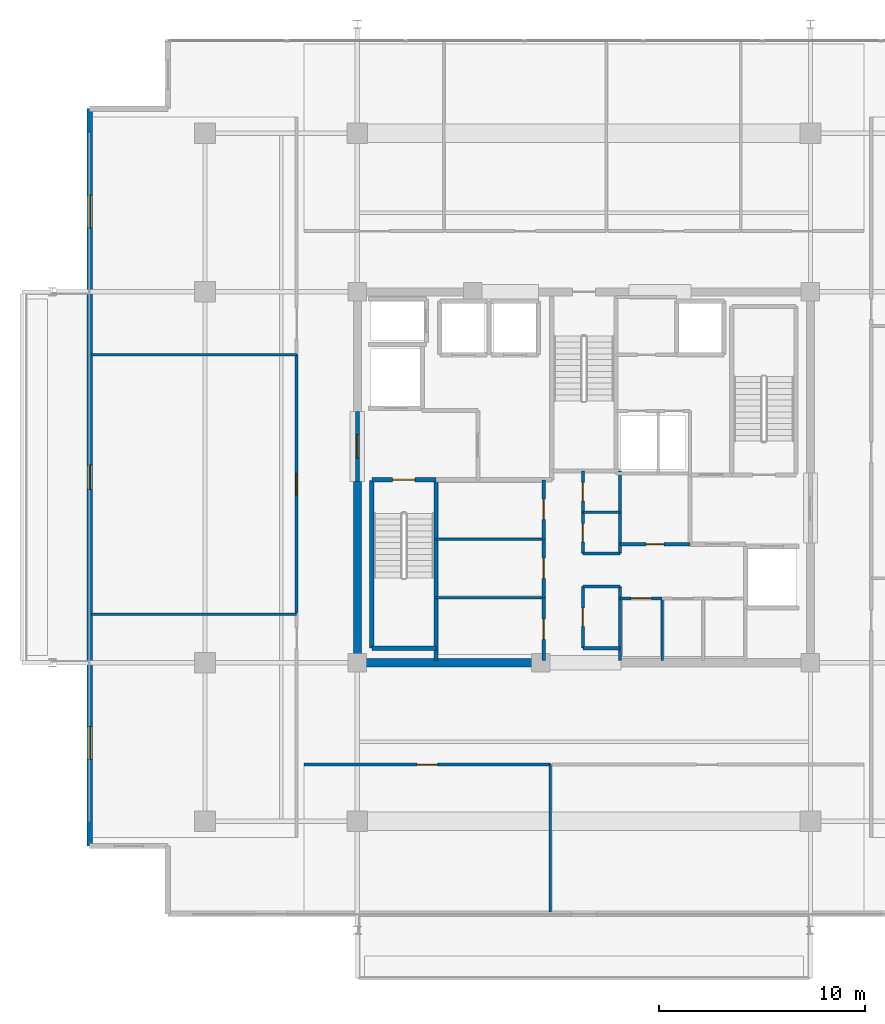
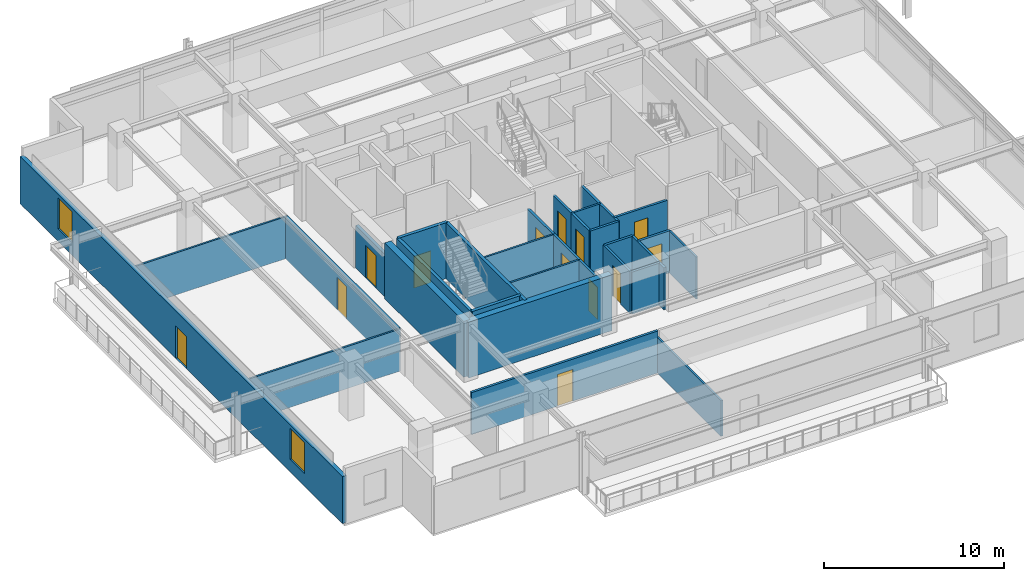
# One storey, part 13 of 20: 30 walls, 13 doors, 2 windows, 15 openings.
"""IFC4 building model written with IfcOpenShell, lengths in metres."""

from ifc_helpers import new_model, si_unit, direction, frame, frame_2d, origin, place, context, subcontext, project, spatial, rectangle, extrude, material, layer, layer_set, type_object, element, fill, save


model = new_model("IFC4")

# Units and contexts
model_context = context("Model", 3, precision=1e-05, world=origin(), true_north=direction((0.0, 1.0)))
body_context = subcontext(model_context, "Body", "Model", "MODEL_VIEW")
ifc_project = project(units=[si_unit("LENGTHUNIT", "METRE"), si_unit("AREAUNIT", "SQUARE_METRE"), si_unit("VOLUMEUNIT", "CUBIC_METRE"), si_unit("PLANEANGLEUNIT", "RADIAN"), si_unit("MASSUNIT", "GRAM", prefix="KILO")], contexts=[model_context])

# Site, building, storey
site_placement = place(None, origin())
site = spatial("IfcSite", under=ifc_project, at=site_placement, CompositionType="ELEMENT")
building_placement = place(site_placement, origin())
building = spatial("IfcBuilding", under=site, at=building_placement, Name="Kovane Verandah Tower", CompositionType="ELEMENT")
storey_placement = place(building_placement, frame((0.0, 0.0, 306.800048828125)))
storey = spatial("IfcBuildingStorey", under=building, at=storey_placement, Name="L71", CompositionType="ELEMENT", Elevation=306.800048828125)

# Walls
ifc_material_1 = material(Name="Fire-Rated Gypsum Stud Partition", Category="gypsum")
ifc_layer_1 = layer(ifc_material_1, 0.14990234375)
ifc_layer_set_1 = layer_set([ifc_layer_1], Name="Fire-Rated Gypsum Stud Partition")
wall_type_1 = type_object("IfcWallType", Name="WL-COR-150", PredefinedType="PARTITIONING", material=ifc_layer_set_1)
for number, where, z_axis, x_axis, name in (
    (1, (39.949951171875, 19.199951171875, 0.0), (0.0, 0.0, 1.0), (1.0, 0.0, 0.0), "L71 Central Core Strip South Wall"),
    (2, (39.949951171875, 22.199951171875, 0.0), (0.0, 0.0, 1.0), (1.0, 0.0, 0.0), "L71 Core Cross-Passage South Wall"),
    (3, (39.949951171875, 23.800048828125, 0.0), (0.0, 0.0, 1.0), (1.0, 0.0, 0.0), "L71 Core Cross-Passage North Wall"),
):
    element("IfcWall", number, at=place(storey_placement, frame(where, z_axis=z_axis, x_axis=x_axis)), inside=storey, type_object=wall_type_1, Name=name, PredefinedType="PARTITIONING", context=body_context, shape_type="SweptSolid", body=[
        extrude(rectangle(XDim=1.81005859375, YDim=0.14990234375, at=frame_2d((0.905029296875, 0.0))), origin(), (0.0, 0.0, 1.0), 2.849853515625),
    ])
wall_1_placement = place(storey_placement, frame((41.760009765625, 18.60009765625, 0.0), z_axis=(0.0, 0.0, 1.0), x_axis=(0.0, 1.0, 0.0)))
element("IfcWall", 4, at=wall_1_placement, inside=storey, type_object=wall_type_1, Name="L71 Central Core Strip Lower East Wall", PredefinedType="PARTITIONING", context=body_context, shape_type="SweptSolid", body=[
    extrude(rectangle(XDim=3.599853515625, YDim=0.14990234375, at=frame_2d((1.7998046875, 0.0))), origin(), (0.0, 0.0, 1.0), 2.849853515625),
])
wall_2_placement = place(storey_placement, frame((41.760009765625, 23.800048828125, 0.0), z_axis=(0.0, 0.0, 1.0), x_axis=(0.0, 1.0, 0.0)))
element("IfcWall", 5, at=wall_2_placement, inside=storey, type_object=wall_type_1, Name="L71 Central Core Strip Upper East Wall", PredefinedType="PARTITIONING", context=body_context, shape_type="SweptSolid", body=[
    extrude(rectangle(XDim=4.0, YDim=0.14990234375, at=frame_2d((2.0, 0.0))), origin(), (0.0, 0.0, 1.0), 2.849853515625),
])

# Wall, opening, door
wall_3_placement = place(storey_placement, frame((39.949951171875, 19.199951171875, 0.0), z_axis=(0.0, 0.0, 1.0), x_axis=(0.0, 1.0, 0.0)))
wall_3 = element("IfcWall", 6, at=wall_3_placement, inside=storey, type_object=wall_type_1, Name="L71 Male Toilet Partition", PredefinedType="PARTITIONING", context=body_context, shape_type="SweptSolid", body=[
    extrude(rectangle(XDim=3.0, YDim=0.14990234375, at=frame_2d((1.5, 0.0))), origin(), (0.0, 0.0, 1.0), 2.849853515625),
])
opening_1_placement = place(wall_3_placement, frame((1.050048828125, 0.0, 0.0)))
opening_1 = element("IfcOpeningElement", 7, at=opening_1_placement, cuts=wall_3, Name="Opening DR-L71-032", PredefinedType="OPENING", context=body_context, shape_type="SweptSolid", body=[
    extrude(rectangle(XDim=0.89990234375, YDim=2.10009765625, at=frame_2d((0.449951171875, 1.050048828125))), frame((0.0, 0.074951171875, 0.0), z_axis=(0.0, -1.0, 0.0), x_axis=(1.0, 0.0, 0.0)), (0.0, 0.0, 1.0), 0.14990234375),
])
ifc_material_2 = material(Name="Moisture-Resistant Laminate Washroom Door", Category="wood")
door_type_1 = type_object("IfcDoorType", Name="DR-WC-900", OperationType="SINGLE_SWING_LEFT", PredefinedType="DOOR", material=ifc_material_2)
door_1_placement = place(opening_1_placement, origin())
door_1 = element("IfcDoor", 8, at=door_1_placement, inside=storey, type_object=door_type_1, Name="L71 Male Toilet Door", OperationType="SINGLE_SWING_RIGHT", OverallHeight=2.10009765625, OverallWidth=0.89990234375, PredefinedType="DOOR", context=body_context, shape_type="SweptSolid", body=[
    extrude(rectangle(XDim=0.89990234375, YDim=2.10009765625, at=frame_2d((0.449951171875, 1.050048828125))), frame((0.0, 0.02490234375, 0.0), z_axis=(0.0, -1.0, 0.0), x_axis=(1.0, 0.0, 0.0)), (0.0, 0.0, 1.0), 0.050048828125),
])
fill(opening_1, door_1)

wall_4_placement = place(storey_placement, frame((39.949951171875, 23.800048828125, 0.0), z_axis=(0.0, 0.0, 1.0), x_axis=(0.0, 1.0, 0.0)))
wall_4 = element("IfcWall", 9, at=wall_4_placement, inside=storey, type_object=wall_type_1, Name="L71 Female Toilet Partition", PredefinedType="PARTITIONING", context=body_context, shape_type="SweptSolid", body=[
    extrude(rectangle(XDim=2.0, YDim=0.14990234375, at=frame_2d((1.0, 0.0))), origin(), (0.0, 0.0, 1.0), 2.849853515625),
])
opening_2_placement = place(wall_4_placement, frame((0.550048828125, 0.0, 0.0)))
opening_2 = element("IfcOpeningElement", 10, at=opening_2_placement, cuts=wall_4, Name="Opening DR-L71-031", PredefinedType="OPENING", context=body_context, shape_type="SweptSolid", body=[
    extrude(rectangle(XDim=0.89990234375, YDim=2.10009765625, at=frame_2d((0.449951171875, 1.050048828125))), frame((0.0, 0.074951171875, 0.0), z_axis=(0.0, -1.0, 0.0), x_axis=(1.0, 0.0, 0.0)), (0.0, 0.0, 1.0), 0.14990234375),
])
door_2_placement = place(opening_2_placement, origin())
door_2 = element("IfcDoor", 11, at=door_2_placement, inside=storey, type_object=door_type_1, Name="L71 Female Toilet Door", OperationType="SINGLE_SWING_LEFT", OverallHeight=2.10009765625, OverallWidth=0.89990234375, PredefinedType="DOOR", context=body_context, shape_type="SweptSolid", body=[
    extrude(rectangle(XDim=0.89990234375, YDim=2.10009765625, at=frame_2d((0.449951171875, 1.050048828125))), frame((0.0, 0.02490234375, 0.0), z_axis=(0.0, -1.0, 0.0), x_axis=(1.0, 0.0, 0.0)), (0.0, 0.0, 1.0), 0.050048828125),
])
fill(opening_2, door_2)

wall_5_placement = place(storey_placement, frame((39.949951171875, 25.800048828125, 0.0), z_axis=(0.0, 0.0, 1.0), x_axis=(0.0, 1.0, 0.0)))
wall_5 = element("IfcWall", 12, at=wall_5_placement, inside=storey, type_object=wall_type_1, Name="L71 Accessible Unisex Toilet Partition", PredefinedType="PARTITIONING", context=body_context, shape_type="SweptSolid", body=[
    extrude(rectangle(XDim=2.0, YDim=0.14990234375, at=frame_2d((1.0, 0.0))), origin(), (0.0, 0.0, 1.0), 2.849853515625),
])
opening_3_placement = place(wall_5_placement, frame((0.550048828125, 0.0, 0.0)))
opening_3 = element("IfcOpeningElement", 13, at=opening_3_placement, cuts=wall_5, Name="Opening DR-L71-030", PredefinedType="OPENING", context=body_context, shape_type="SweptSolid", body=[
    extrude(rectangle(XDim=0.89990234375, YDim=2.10009765625, at=frame_2d((0.449951171875, 1.050048828125))), frame((0.0, 0.074951171875, 0.0), z_axis=(0.0, -1.0, 0.0), x_axis=(1.0, 0.0, 0.0)), (0.0, 0.0, 1.0), 0.14990234375),
])
door_3_placement = place(opening_3_placement, origin())
door_3 = element("IfcDoor", 14, at=door_3_placement, inside=storey, type_object=door_type_1, Name="L71 Accessible Unisex Toilet Door", OperationType="SINGLE_SWING_RIGHT", OverallHeight=2.10009765625, OverallWidth=0.89990234375, PredefinedType="DOOR", context=body_context, shape_type="SweptSolid", body=[
    extrude(rectangle(XDim=0.89990234375, YDim=2.10009765625, at=frame_2d((0.449951171875, 1.050048828125))), frame((0.0, 0.02490234375, 0.0), z_axis=(0.0, -1.0, 0.0), x_axis=(1.0, 0.0, 0.0)), (0.0, 0.0, 1.0), 0.050048828125),
])
fill(opening_3, door_3)

wall_6_placement = place(storey_placement, frame((38.050048828125, 18.60009765625, 0.0), z_axis=(0.0, 0.0, 1.0), x_axis=(0.0, 1.0, 0.0)))
wall_6 = element("IfcWall", 15, at=wall_6_placement, inside=storey, type_object=wall_type_1, Name="L71 Project Archive Room Partition", PredefinedType="PARTITIONING", context=body_context, shape_type="SweptSolid", body=[
    extrude(rectangle(XDim=3.059814453125, YDim=0.14990234375, at=frame_2d((1.52978515625, 0.0))), origin(), (0.0, 0.0, 1.0), 2.849853515625),
])
opening_4_placement = place(wall_6_placement, frame((1.030029296875, 0.0, 0.0)))
opening_4 = element("IfcOpeningElement", 16, at=opening_4_placement, cuts=wall_6, Name="Opening DR-L71-014", PredefinedType="OPENING", context=body_context, shape_type="SweptSolid", body=[
    extrude(rectangle(XDim=1.0, YDim=2.14990234375, at=frame_2d((0.5, 1.074951171875))), frame((0.0, 0.074951171875, 0.0), z_axis=(0.0, -1.0, 0.0), x_axis=(1.0, 0.0, 0.0)), (0.0, 0.0, 1.0), 0.14990234375),
])
ifc_material_3 = material(Name="FSC Spotted-Gum Timber Fire-Rated Office Door", Category="wood")
door_type_2 = type_object("IfcDoorType", Name="DR-OFF-1000", OperationType="SINGLE_SWING_LEFT", PredefinedType="DOOR", material=ifc_material_3)
door_4_placement = place(opening_4_placement, origin())
door_4 = element("IfcDoor", 17, at=door_4_placement, inside=storey, type_object=door_type_2, Name="L71 Project Archive Room Door", OperationType="SINGLE_SWING_LEFT", OverallHeight=2.14990234375, OverallWidth=1.0, PredefinedType="DOOR", context=body_context, shape_type="SweptSolid", body=[
    extrude(rectangle(XDim=1.0, YDim=2.14990234375, at=frame_2d((0.5, 1.074951171875))), frame((0.0, 0.02490234375, 0.0), z_axis=(0.0, -1.0, 0.0), x_axis=(1.0, 0.0, 0.0)), (0.0, 0.0, 1.0), 0.050048828125),
])
fill(opening_4, door_4)

wall_7_placement = place(storey_placement, frame((38.050048828125, 21.659912109375, 0.0), z_axis=(0.0, 0.0, 1.0), x_axis=(0.0, 1.0, 0.0)))
wall_7 = element("IfcWall", 18, at=wall_7_placement, inside=storey, type_object=wall_type_1, Name="L71 First Aid and Wellness Room Partition", PredefinedType="PARTITIONING", context=body_context, shape_type="SweptSolid", body=[
    extrude(rectangle(XDim=2.840087890625, YDim=0.14990234375, at=frame_2d((1.419921875, 0.0))), origin(), (0.0, 0.0, 1.0), 2.849853515625),
])
opening_5_placement = place(wall_7_placement, frame((0.919921875, 0.0, 0.0)))
opening_5 = element("IfcOpeningElement", 19, at=opening_5_placement, cuts=wall_7, Name="Opening DR-L71-015", PredefinedType="OPENING", context=body_context, shape_type="SweptSolid", body=[
    extrude(rectangle(XDim=1.0, YDim=2.14990234375, at=frame_2d((0.5, 1.074951171875))), frame((0.0, 0.074951171875, 0.0), z_axis=(0.0, -1.0, 0.0), x_axis=(1.0, 0.0, 0.0)), (0.0, 0.0, 1.0), 0.14990234375),
])
door_5_placement = place(opening_5_placement, origin())
door_5 = element("IfcDoor", 20, at=door_5_placement, inside=storey, type_object=door_type_2, Name="L71 First Aid and Wellness Room Door", OperationType="SINGLE_SWING_RIGHT", OverallHeight=2.14990234375, OverallWidth=1.0, PredefinedType="DOOR", context=body_context, shape_type="SweptSolid", body=[
    extrude(rectangle(XDim=1.0, YDim=2.14990234375, at=frame_2d((0.5, 1.074951171875))), frame((0.0, 0.02490234375, 0.0), z_axis=(0.0, -1.0, 0.0), x_axis=(1.0, 0.0, 0.0)), (0.0, 0.0, 1.0), 0.050048828125),
])
fill(opening_5, door_5)

wall_8_placement = place(storey_placement, frame((38.050048828125, 24.5, 0.0), z_axis=(0.0, 0.0, 1.0), x_axis=(0.0, 1.0, 0.0)))
wall_8 = element("IfcWall", 21, at=wall_8_placement, inside=storey, type_object=wall_type_1, Name="L71 Tea and Copy Hub Partition", PredefinedType="PARTITIONING", context=body_context, shape_type="SweptSolid", body=[
    extrude(rectangle(XDim=2.8798828125, YDim=0.14990234375, at=frame_2d((1.43994140625, 0.0))), origin(), (0.0, 0.0, 1.0), 2.849853515625),
])
opening_6_placement = place(wall_8_placement, frame((0.93994140625, 0.0, 0.0)))
opening_6 = element("IfcOpeningElement", 22, at=opening_6_placement, cuts=wall_8, Name="Opening DR-L71-016", PredefinedType="OPENING", context=body_context, shape_type="SweptSolid", body=[
    extrude(rectangle(XDim=1.0, YDim=2.14990234375, at=frame_2d((0.5, 1.074951171875))), frame((0.0, 0.074951171875, 0.0), z_axis=(0.0, -1.0, 0.0), x_axis=(1.0, 0.0, 0.0)), (0.0, 0.0, 1.0), 0.14990234375),
])
door_6_placement = place(opening_6_placement, origin())
door_6 = element("IfcDoor", 23, at=door_6_placement, inside=storey, type_object=door_type_2, Name="L71 Tea and Copy Hub Door", OperationType="SINGLE_SWING_LEFT", OverallHeight=2.14990234375, OverallWidth=1.0, PredefinedType="DOOR", context=body_context, shape_type="SweptSolid", body=[
    extrude(rectangle(XDim=1.0, YDim=2.14990234375, at=frame_2d((0.5, 1.074951171875))), frame((0.0, 0.02490234375, 0.0), z_axis=(0.0, -1.0, 0.0), x_axis=(1.0, 0.0, 0.0)), (0.0, 0.0, 1.0), 0.050048828125),
])
fill(opening_6, door_6)

wall_9_placement = place(storey_placement, frame((41.760009765625, 21.6201171875, 0.0), z_axis=(0.0, 0.0, 1.0), x_axis=(1.0, 0.0, 0.0)))
wall_9 = element("IfcWall", 24, at=wall_9_placement, inside=storey, type_object=wall_type_1, Name="L71 Mail and Copy Room Partition", PredefinedType="PARTITIONING", context=body_context, shape_type="SweptSolid", body=[
    extrude(rectangle(XDim=2.0400390625, YDim=0.14990234375, at=frame_2d((1.02001953125, 0.0))), origin(), (0.0, 0.0, 1.0), 2.849853515625),
])
opening_7_placement = place(wall_9_placement, frame((0.52001953125, 0.0, 0.0)))
opening_7 = element("IfcOpeningElement", 25, at=opening_7_placement, cuts=wall_9, Name="Opening DR-L71-017", PredefinedType="OPENING", context=body_context, shape_type="SweptSolid", body=[
    extrude(rectangle(XDim=1.0, YDim=2.14990234375, at=frame_2d((0.5, 1.074951171875))), frame((0.0, 0.074951171875, 0.0), z_axis=(0.0, -1.0, 0.0), x_axis=(1.0, 0.0, 0.0)), (0.0, 0.0, 1.0), 0.14990234375),
])
door_7_placement = place(opening_7_placement, origin())
door_7 = element("IfcDoor", 26, at=door_7_placement, inside=storey, type_object=door_type_2, Name="L71 Mail and Copy Room Door", OperationType="SINGLE_SWING_RIGHT", OverallHeight=2.14990234375, OverallWidth=1.0, PredefinedType="DOOR", context=body_context, shape_type="SweptSolid", body=[
    extrude(rectangle(XDim=1.0, YDim=2.14990234375, at=frame_2d((0.5, 1.074951171875))), frame((0.0, 0.02490234375, 0.0), z_axis=(0.0, -1.0, 0.0), x_axis=(1.0, 0.0, 0.0)), (0.0, 0.0, 1.0), 0.050048828125),
])
fill(opening_7, door_7)

wall_10_placement = place(storey_placement, frame((41.760009765625, 24.25, 0.0), z_axis=(0.0, 0.0, 1.0), x_axis=(1.0, 0.0, 0.0)))
wall_10 = element("IfcWall", 27, at=wall_10_placement, inside=storey, type_object=wall_type_1, Name="L71 Supply Store Partition", PredefinedType="PARTITIONING", context=body_context, shape_type="SweptSolid", body=[
    extrude(rectangle(XDim=3.389892578125, YDim=0.14990234375, at=frame_2d((1.69482421875, 0.0))), origin(), (0.0, 0.0, 1.0), 2.849853515625),
])
opening_8_placement = place(wall_10_placement, frame((1.2548828125, 0.0, 0.0)))
opening_8 = element("IfcOpeningElement", 28, at=opening_8_placement, cuts=wall_10, Name="Opening DR-L71-020", PredefinedType="OPENING", context=body_context, shape_type="SweptSolid", body=[
    extrude(rectangle(XDim=0.8798828125, YDim=2.10009765625, at=frame_2d((0.43994140625, 1.050048828125))), frame((0.0, 0.074951171875, 0.0), z_axis=(0.0, -1.0, 0.0), x_axis=(1.0, 0.0, 0.0)), (0.0, 0.0, 1.0), 0.14990234375),
])
ifc_material_4 = material(Name="Fire-Rated Steel Riser Access Door", Category="steel")
door_type_3 = type_object("IfcDoorType", Name="DR-RISER-880", OperationType="SINGLE_SWING_LEFT", PredefinedType="DOOR", material=ifc_material_4)
door_8_placement = place(opening_8_placement, origin())
door_8 = element("IfcDoor", 29, at=door_8_placement, inside=storey, type_object=door_type_3, Name="L71 Supply Store Door", OperationType="SINGLE_SWING_LEFT", OverallHeight=2.10009765625, OverallWidth=0.8798828125, PredefinedType="DOOR", context=body_context, shape_type="SweptSolid", body=[
    extrude(rectangle(XDim=0.8798828125, YDim=2.10009765625, at=frame_2d((0.43994140625, 1.050048828125))), frame((0.0, 0.02490234375, 0.0), z_axis=(0.0, -1.0, 0.0), x_axis=(1.0, 0.0, 0.0)), (0.0, 0.0, 1.0), 0.050048828125),
])
fill(opening_8, door_8)

wall_11_placement = place(storey_placement, frame((26.39990234375, 13.550048828125, 0.0), z_axis=(0.0, 0.0, 1.0), x_axis=(1.0, 0.0, 0.0)))
wall_11 = element("IfcWall", 30, at=wall_11_placement, inside=storey, type_object=wall_type_1, Name="L71 Collaboration Hub S1 Corridor Partition", PredefinedType="PARTITIONING", context=body_context, shape_type="SweptSolid", body=[
    extrude(rectangle(XDim=11.968017578125, YDim=0.14990234375, at=frame_2d((5.98388671875, 0.0))), origin(), (0.0, 0.0, 1.0), 2.849853515625),
])
opening_9_placement = place(wall_11_placement, frame((5.4990234375, 0.0, 0.0)))
opening_9 = element("IfcOpeningElement", 31, at=opening_9_placement, cuts=wall_11, Name="Opening DR-L71-028", PredefinedType="OPENING", context=body_context, shape_type="SweptSolid", body=[
    extrude(rectangle(XDim=1.0, YDim=2.14990234375, at=frame_2d((0.5, 1.074951171875))), frame((0.0, 0.074951171875, 0.0), z_axis=(0.0, -1.0, 0.0), x_axis=(1.0, 0.0, 0.0)), (0.0, 0.0, 1.0), 0.14990234375),
])
door_9_placement = place(opening_9_placement, origin())
door_9 = element("IfcDoor", 32, at=door_9_placement, inside=storey, type_object=door_type_2, Name="L71 Collaboration Hub S1 Entrance Door", OperationType="SINGLE_SWING_LEFT", OverallHeight=2.14990234375, OverallWidth=1.0, PredefinedType="DOOR", context=body_context, shape_type="SweptSolid", body=[
    extrude(rectangle(XDim=1.0, YDim=2.14990234375, at=frame_2d((0.5, 1.074951171875))), frame((0.0, 0.02490234375, 0.0), z_axis=(0.0, -1.0, 0.0), x_axis=(1.0, 0.0, 0.0)), (0.0, 0.0, 1.0), 0.050048828125),
])
fill(opening_9, door_9)

wall_12_placement = place(storey_placement, frame((26.050048828125, 20.919921875, 0.0), z_axis=(0.0, 0.0, 1.0), x_axis=(0.0, 1.0, 0.0)))
wall_12 = element("IfcWall", 33, at=wall_12_placement, inside=storey, type_object=wall_type_1, Name="L71 Executive Office W2 Corridor Partition", PredefinedType="PARTITIONING", context=body_context, shape_type="SweptSolid", body=[
    extrude(rectangle(XDim=12.530029296875, YDim=0.14990234375, at=frame_2d((6.26513671875, 0.0))), origin(), (0.0, 0.0, 1.0), 2.849853515625),
])
opening_10_placement = place(wall_12_placement, frame((5.705078125, 0.0, 0.0)))
opening_10 = element("IfcOpeningElement", 34, at=opening_10_placement, cuts=wall_12, Name="Opening DR-L71-034", PredefinedType="OPENING", context=body_context, shape_type="SweptSolid", body=[
    extrude(rectangle(XDim=1.050048828125, YDim=2.199951171875, at=frame_2d((0.52490234375, 1.10009765625))), frame((0.0, 0.074951171875, 0.0), z_axis=(0.0, -1.0, 0.0), x_axis=(1.0, 0.0, 0.0)), (0.0, 0.0, 1.0), 0.14990234375),
])
ifc_material_5 = material(Name="FSC Blackbutt Timber Fire-Rated Executive Door", Category="wood")
door_type_4 = type_object("IfcDoorType", Name="DR-EXEC-1050", OperationType="SINGLE_SWING_LEFT", PredefinedType="DOOR", material=ifc_material_5)
door_10_placement = place(opening_10_placement, origin())
door_10 = element("IfcDoor", 35, at=door_10_placement, inside=storey, type_object=door_type_4, Name="L71 Executive Office W2 Entrance Door", OperationType="SINGLE_SWING_RIGHT", OverallHeight=2.199951171875, OverallWidth=1.050048828125, PredefinedType="DOOR", context=body_context, shape_type="SweptSolid", body=[
    extrude(rectangle(XDim=1.050048828125, YDim=2.199951171875, at=frame_2d((0.52490234375, 1.10009765625))), frame((0.0, 0.02490234375, 0.0), z_axis=(0.0, -1.0, 0.0), x_axis=(1.0, 0.0, 0.0)), (0.0, 0.0, 1.0), 0.050048828125),
])
fill(opening_10, door_10)

# Walls
ifc_material_6 = material(Name="Concrete C60/75", Category="concrete")
ifc_layer_2 = layer(ifc_material_6, 0.39990234375)
ifc_layer_set_2 = layer_set([ifc_layer_2], Name="Concrete C60/75")
wall_type_2 = type_object("IfcWallType", Name="WL-CORE-400", PredefinedType="SHEAR", material=ifc_layer_set_2)
wall_13_placement = place(storey_placement, frame((29.0, 18.5, 0.0), z_axis=(0.0, 0.0, 1.0), x_axis=(1.0, 0.0, 0.0)))
element("IfcWall", 36, at=wall_13_placement, inside=storey, type_object=wall_type_2, Name="L71 Core Shear Wall CS-1", PredefinedType="SHEAR", context=body_context, shape_type="SweptSolid", body=[
    extrude(rectangle(XDim=9.199951171875, YDim=0.39990234375, at=frame_2d((4.60009765625, 0.0))), origin(), (0.0, 0.0, 1.0), 3.784912109375),
])
wall_14_placement = place(storey_placement, frame((29.0, 18.5, 0.0), z_axis=(0.0, 0.0, 1.0), x_axis=(0.0, 1.0, 0.0)))
element("IfcWall", 37, at=wall_14_placement, inside=storey, type_object=wall_type_2, Name="L71 Core Shear Wall CW-1", PredefinedType="SHEAR", context=body_context, shape_type="SweptSolid", body=[
    extrude(rectangle(XDim=8.800048828125, YDim=0.39990234375, at=frame_2d((4.39990234375, 0.0))), origin(), (0.0, 0.0, 1.0), 3.784912109375),
])

# Wall, opening, door
ifc_material_7 = material(Name="Concrete C45/55 Fire Wall", Category="concrete")
ifc_layer_3 = layer(ifc_material_7, 0.199951171875)
ifc_layer_set_3 = layer_set([ifc_layer_3], Name="Concrete C45/55 Fire Wall")
wall_type_3 = type_object("IfcWallType", Name="WL-FFL-200", PredefinedType="PARTITIONING", material=ifc_layer_set_3)
wall_15_placement = place(storey_placement, frame((29.0, 27.300048828125, 0.0), z_axis=(0.0, 0.0, 1.0), x_axis=(0.0, 1.0, 0.0)))
wall_15 = element("IfcWall", 38, at=wall_15_placement, inside=storey, type_object=wall_type_3, Name="W-L71-FFLW-OUT", PredefinedType="PARTITIONING", context=body_context, shape_type="SweptSolid", body=[
    extrude(rectangle(XDim=3.39990234375, YDim=0.199951171875, at=frame_2d((1.699951171875, 0.0))), origin(), (0.0, 0.0, 1.0), 2.864990234375),
])
opening_11_placement = place(wall_15_placement, frame((1.125, 0.0, 0.0)))
opening_11 = element("IfcOpeningElement", 39, at=opening_11_placement, cuts=wall_15, Name="Opening DR-L71-007", PredefinedType="OPENING", context=body_context, shape_type="SweptSolid", body=[
    extrude(rectangle(XDim=1.14990234375, YDim=2.199951171875, at=frame_2d((0.574951171875, 1.10009765625))), frame((0.0, 0.10009765625, 0.0), z_axis=(0.0, -1.0, 0.0), x_axis=(1.0, 0.0, 0.0)), (0.0, 0.0, 1.0), 0.199951171875),
])
ifc_material_8 = material(Name="Smoke-Sealed Firefighting Lobby Door", Category="steel")
door_type_5 = type_object("IfcDoorType", Name="DR-FFL-1150", OperationType="SINGLE_SWING_LEFT", PredefinedType="DOOR", material=ifc_material_8)
door_11_placement = place(opening_11_placement, origin())
door_11 = element("IfcDoor", 40, at=door_11_placement, inside=storey, type_object=door_type_5, Name="L71 West Firefighting Lobby Corridor Door", OperationType="SINGLE_SWING_RIGHT", OverallHeight=2.199951171875, OverallWidth=1.14990234375, PredefinedType="DOOR", context=body_context, shape_type="SweptSolid", body=[
    extrude(rectangle(XDim=1.14990234375, YDim=2.199951171875, at=frame_2d((0.574951171875, 1.10009765625))), frame((0.0, 0.02490234375, 0.0), z_axis=(0.0, -1.0, 0.0), x_axis=(1.0, 0.0, 0.0)), (0.0, 0.0, 1.0), 0.050048828125),
])
fill(opening_11, door_11)

# Walls
ifc_material_9 = material(Name="Acoustic Fire-Rated Gypsum Partition", Category="gypsum")
ifc_layer_4 = layer(ifc_material_9, 0.1201171875)
ifc_layer_set_4 = layer_set([ifc_layer_4], Name="Acoustic Fire-Rated Gypsum Partition")
wall_type_4 = type_object("IfcWallType", Name="WL-PART-120", PredefinedType="PARTITIONING", material=ifc_layer_set_4)
wall_16_placement = place(storey_placement, frame((39.949951171875, 25.800048828125, 0.0), z_axis=(0.0, 0.0, 1.0), x_axis=(1.0, 0.0, 0.0)))
element("IfcWall", 41, at=wall_16_placement, inside=storey, type_object=wall_type_4, Name="L71 Central Core Strip Upper Dividing Partition", PredefinedType="PARTITIONING", context=body_context, shape_type="SweptSolid", body=[
    extrude(rectangle(XDim=1.81005859375, YDim=0.1201171875, at=frame_2d((0.905029296875, 0.0))), origin(), (0.0, 0.0, 1.0), 2.849853515625),
])
for number, where, z_axis, x_axis, name in (
    (42, (32.820068359375, 21.659912109375, 0.0), (0.0, 0.0, 1.0), (1.0, 0.0, 0.0), "L71 Core Support Lower Dividing Partition"),
    (43, (32.820068359375, 24.5, 0.0), (0.0, 0.0, 1.0), (1.0, 0.0, 0.0), "L71 Core Support Upper Dividing Partition"),
):
    element("IfcWall", number, at=place(storey_placement, frame(where, z_axis=z_axis, x_axis=x_axis)), inside=storey, type_object=wall_type_4, Name=name, PredefinedType="PARTITIONING", context=body_context, shape_type="SweptSolid", body=[
        extrude(rectangle(XDim=5.22998046875, YDim=0.1201171875, at=frame_2d((2.614990234375, 0.0))), origin(), (0.0, 0.0, 1.0), 2.849853515625),
    ])
wall_17_placement = place(storey_placement, frame((43.800048828125, 18.60009765625, 0.0), z_axis=(0.0, 0.0, 1.0), x_axis=(0.0, 1.0, 0.0)))
element("IfcWall", 44, at=wall_17_placement, inside=storey, type_object=wall_type_4, Name="L71 East Core Support Dividing Partition 1", PredefinedType="PARTITIONING", context=body_context, shape_type="SweptSolid", body=[
    extrude(rectangle(XDim=3.02001953125, YDim=0.1201171875, at=frame_2d((1.510009765625, 0.0))), origin(), (0.0, 0.0, 1.0), 2.849853515625),
])
wall_18_placement = place(storey_placement, frame((38.367919921875, 6.39990234375, 0.0), z_axis=(0.0, 0.0, 1.0), x_axis=(0.0, 1.0, 0.0)))
element("IfcWall", 45, at=wall_18_placement, inside=storey, type_object=wall_type_4, Name="L71 Collaboration Hub S1 Dividing Partition", PredefinedType="PARTITIONING", context=body_context, shape_type="SweptSolid", body=[
    extrude(rectangle(XDim=7.150146484375, YDim=0.1201171875, at=frame_2d((3.5751953125, 0.0))), origin(), (0.0, 0.0, 1.0), 2.4150390625),
])
for number, where, z_axis, x_axis, name in (
    (46, (16.10009765625, 20.85009765625, 0.0), (0.0, 0.0, 1.0), (1.0, 0.0, 0.0), "L71 Open Plan Office W1 Dividing Partition"),
    (47, (16.10009765625, 33.449951171875, 0.0), (0.0, 0.0, 1.0), (1.0, 0.0, 0.0), "L71 Executive Office W2 Dividing Partition"),
):
    element("IfcWall", number, at=place(storey_placement, frame(where, z_axis=z_axis, x_axis=x_axis)), inside=storey, type_object=wall_type_4, Name=name, PredefinedType="PARTITIONING", context=body_context, shape_type="SweptSolid", body=[
        extrude(rectangle(XDim=9.949951171875, YDim=0.1201171875, at=frame_2d((4.97509765625, 0.0))), origin(), (0.0, 0.0, 1.0), 2.849853515625),
    ])
ifc_material_10 = material(Name="Concrete C45/55", Category="concrete")
ifc_layer_5 = layer(ifc_material_10, 0.199951171875)
ifc_layer_set_5 = layer_set([ifc_layer_5], Name="Concrete C45/55")
wall_type_5 = type_object("IfcWallType", Name="WL-SHAFT-200", PredefinedType="SOLIDWALL", material=ifc_layer_set_5)
wall_19_placement = place(storey_placement, frame((29.699951171875, 19.199951171875, 0.0), z_axis=(0.0, 0.0, 1.0), x_axis=(0.0, 1.0, 0.0)))
element("IfcWall", 48, at=wall_19_placement, inside=storey, type_object=wall_type_5, Name="W-L71-ST01-W", PredefinedType="SOLIDWALL", context=body_context, shape_type="SweptSolid", body=[
    extrude(rectangle(XDim=8.150146484375, YDim=0.199951171875, at=frame_2d((4.0751953125, 0.0))), origin(), (0.0, 0.0, 1.0), 3.784912109375),
])
wall_20_placement = place(storey_placement, frame((29.699951171875, 19.199951171875, 0.0), z_axis=(0.0, 0.0, 1.0), x_axis=(1.0, 0.0, 0.0)))
element("IfcWall", 49, at=wall_20_placement, inside=storey, type_object=wall_type_5, Name="W-L71-ST01-S", PredefinedType="SOLIDWALL", context=body_context, shape_type="SweptSolid", body=[
    extrude(rectangle(XDim=3.1201171875, YDim=0.199951171875, at=frame_2d((1.56005859375, 0.0))), origin(), (0.0, 0.0, 1.0), 3.784912109375),
])
wall_21_placement = place(storey_placement, frame((32.820068359375, 18.60009765625, 0.0), z_axis=(0.0, 0.0, 1.0), x_axis=(0.0, 1.0, 0.0)))
element("IfcWall", 50, at=wall_21_placement, inside=storey, type_object=wall_type_5, Name="W-L71-ST01-E", PredefinedType="SOLIDWALL", context=body_context, shape_type="SweptSolid", body=[
    extrude(rectangle(XDim=8.77978515625, YDim=0.199951171875, at=frame_2d((4.389892578125, 0.0))), origin(), (0.0, 0.0, 1.0), 3.784912109375),
])

# Wall, opening, door
wall_22_placement = place(storey_placement, frame((29.699951171875, 27.3798828125, 0.0), z_axis=(0.0, 0.0, 1.0), x_axis=(1.0, 0.0, 0.0)))
wall_22 = element("IfcWall", 51, at=wall_22_placement, inside=storey, type_object=wall_type_5, Name="W-L71-ST01-N", PredefinedType="SOLIDWALL", context=body_context, shape_type="SweptSolid", body=[
    extrude(rectangle(XDim=3.1201171875, YDim=0.199951171875, at=frame_2d((1.56005859375, 0.0))), origin(), (0.0, 0.0, 1.0), 3.784912109375),
])
opening_12_placement = place(wall_22_placement, frame((1.010009765625, 0.0, 0.0)))
opening_12 = element("IfcOpeningElement", 52, at=opening_12_placement, cuts=wall_22, Name="Opening DR-L71-008", PredefinedType="OPENING", context=body_context, shape_type="SweptSolid", body=[
    extrude(rectangle(XDim=1.10009765625, YDim=2.14990234375, at=frame_2d((0.550048828125, 1.074951171875))), frame((0.0, 0.10009765625, 0.0), z_axis=(0.0, -1.0, 0.0), x_axis=(1.0, 0.0, 0.0)), (0.0, 0.0, 1.0), 0.199951171875),
])
ifc_material_11 = material(Name="Fire-Rated Steel Exit Door", Category="steel")
door_type_6 = type_object("IfcDoorType", Name="DR-STAIR-1100", OperationType="SINGLE_SWING_LEFT", PredefinedType="DOOR", material=ifc_material_11)
door_12_placement = place(opening_12_placement, origin())
door_12 = element("IfcDoor", 53, at=door_12_placement, inside=storey, type_object=door_type_6, Name="L71 ST-01 Fire Exit Stair Door", OperationType="SINGLE_SWING_LEFT", OverallHeight=2.14990234375, OverallWidth=1.10009765625, PredefinedType="DOOR", context=body_context, shape_type="SweptSolid", body=[
    extrude(rectangle(XDim=1.10009765625, YDim=2.14990234375, at=frame_2d((0.550048828125, 1.074951171875))), frame((0.0, 0.02490234375, 0.0), z_axis=(0.0, -1.0, 0.0), x_axis=(1.0, 0.0, 0.0)), (0.0, 0.0, 1.0), 0.050048828125),
])
fill(opening_12, door_12)

# Wall, openings, door, windows
ifc_material_12 = material(Name="Concrete C45/55 Insulated Spandrel Wall", Category="concrete")
ifc_layer_6 = layer(ifc_material_12, 0.260009765625)
ifc_layer_set_6 = layer_set([ifc_layer_6], Name="Concrete C45/55 Insulated Spandrel Wall")
wall_type_6 = type_object("IfcWallType", Name="WL-SPANDREL-260", PredefinedType="PARAPET", material=ifc_layer_set_6)
wall_23_placement = place(storey_placement, frame((16.0, 45.39990234375, 0.0), z_axis=(0.0, 0.0, 1.0), x_axis=(0.0, -1.0, 0.0)))
wall_23 = element("IfcWall", 54, at=wall_23_placement, inside=storey, type_object=wall_type_6, Name="L71 W Verandah Access Facade Wall", PredefinedType="PARAPET", context=body_context, shape_type="SweptSolid", body=[
    extrude(rectangle(XDim=35.7998046875, YDim=0.260009765625, at=frame_2d((17.89990234375, 0.0))), origin(), (0.0, 0.0, 1.0), 3.195556640625),
])
opening_13_placement = place(wall_23_placement, frame((4.199951171875, 0.0, 0.85009765625)))
opening_13 = element("IfcOpeningElement", 55, at=opening_13_placement, cuts=wall_23, Name="Opening W-02", PredefinedType="OPENING", context=body_context, shape_type="SweptSolid", body=[
    extrude(rectangle(XDim=1.60009765625, YDim=2.10009765625, at=frame_2d((0.800048828125, 1.050048828125))), frame((0.0, 0.1298828125, 0.0), z_axis=(0.0, -1.0, 0.0), x_axis=(1.0, 0.0, 0.0)), (0.0, 0.0, 1.0), 0.260009765625),
])
opening_14_placement = place(wall_23_placement, frame((17.300048828125, 0.0, 0.0)))
opening_14 = element("IfcOpeningElement", 56, at=opening_14_placement, cuts=wall_23, Name="Opening DR-L71-002", PredefinedType="OPENING", context=body_context, shape_type="SweptSolid", body=[
    extrude(rectangle(XDim=1.199951171875, YDim=2.199951171875, at=frame_2d((0.60009765625, 1.10009765625))), frame((0.0, 0.1298828125, 0.0), z_axis=(0.0, -1.0, 0.0), x_axis=(1.0, 0.0, 0.0)), (0.0, 0.0, 1.0), 0.260009765625),
])
opening_15_placement = place(wall_23_placement, frame((30.0, 0.0, 0.85009765625)))
opening_15 = element("IfcOpeningElement", 57, at=opening_15_placement, cuts=wall_23, Name="Opening W-02", PredefinedType="OPENING", context=body_context, shape_type="SweptSolid", body=[
    extrude(rectangle(XDim=1.60009765625, YDim=2.10009765625, at=frame_2d((0.800048828125, 1.050048828125))), frame((0.0, 0.1298828125, 0.0), z_axis=(0.0, -1.0, 0.0), x_axis=(1.0, 0.0, 0.0)), (0.0, 0.0, 1.0), 0.260009765625),
])
ifc_material_13 = material(Name="Cyclone-Rated Glazed Balcony Leaf Door", Category="aluminium")
door_type_7 = type_object("IfcDoorType", Name="DR-BAL-1200x2200", OperationType="SINGLE_SWING_LEFT", PredefinedType="DOOR", material=ifc_material_13)
door_13_placement = place(opening_14_placement, origin())
door_13 = element("IfcDoor", 58, at=door_13_placement, inside=storey, type_object=door_type_7, Name="L71 W Planted Balcony Access Door", OperationType="SINGLE_SWING_LEFT", OverallHeight=2.199951171875, OverallWidth=1.199951171875, PredefinedType="DOOR", context=body_context, shape_type="SweptSolid", body=[
    extrude(rectangle(XDim=1.199951171875, YDim=2.199951171875, at=frame_2d((0.60009765625, 1.10009765625))), frame((0.0, 0.02490234375, 0.0), z_axis=(0.0, -1.0, 0.0), x_axis=(1.0, 0.0, 0.0)), (0.0, 0.0, 1.0), 0.050048828125),
])
fill(opening_14, door_13)
ifc_material_14 = material(Name="Clear Low-E Laminated Double Glazing in Anodised Frame", Category="glass")
window_type = type_object("IfcWindowType", Name="WN-OPER-1600x2100", PartitioningType="SINGLE_PANEL", PredefinedType="WINDOW", material=ifc_material_14)
window_1_placement = place(opening_13_placement, origin())
window_1 = element("IfcWindow", 59, at=window_1_placement, inside=storey, type_object=window_type, Name="L71 W Verandah View Window 1", OverallHeight=2.10009765625, OverallWidth=1.60009765625, PartitioningType="SINGLE_PANEL", PredefinedType="WINDOW", context=body_context, shape_type="SweptSolid", body=[
    extrude(rectangle(XDim=1.60009765625, YDim=2.10009765625, at=frame_2d((0.800048828125, 1.050048828125))), frame((0.0, 0.030029296875, 0.0), z_axis=(0.0, -1.0, 0.0), x_axis=(1.0, 0.0, 0.0)), (0.0, 0.0, 1.0), 0.06005859375),
])
fill(opening_13, window_1)
window_2_placement = place(opening_15_placement, origin())
window_2 = element("IfcWindow", 60, at=window_2_placement, inside=storey, type_object=window_type, Name="L71 W Verandah View Window 2", OverallHeight=2.10009765625, OverallWidth=1.60009765625, PartitioningType="SINGLE_PANEL", PredefinedType="WINDOW", context=body_context, shape_type="SweptSolid", body=[
    extrude(rectangle(XDim=1.60009765625, YDim=2.10009765625, at=frame_2d((0.800048828125, 1.050048828125))), frame((0.0, 0.030029296875, 0.0), z_axis=(0.0, -1.0, 0.0), x_axis=(1.0, 0.0, 0.0)), (0.0, 0.0, 1.0), 0.06005859375),
])
fill(opening_15, window_2)

save(model, "model.ifc")
